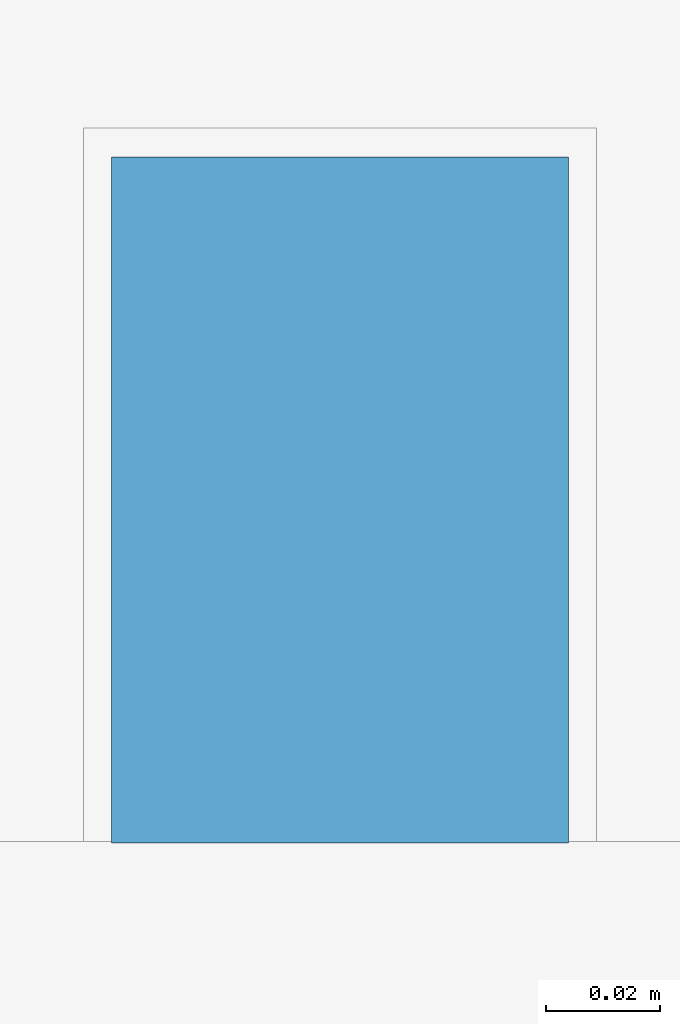
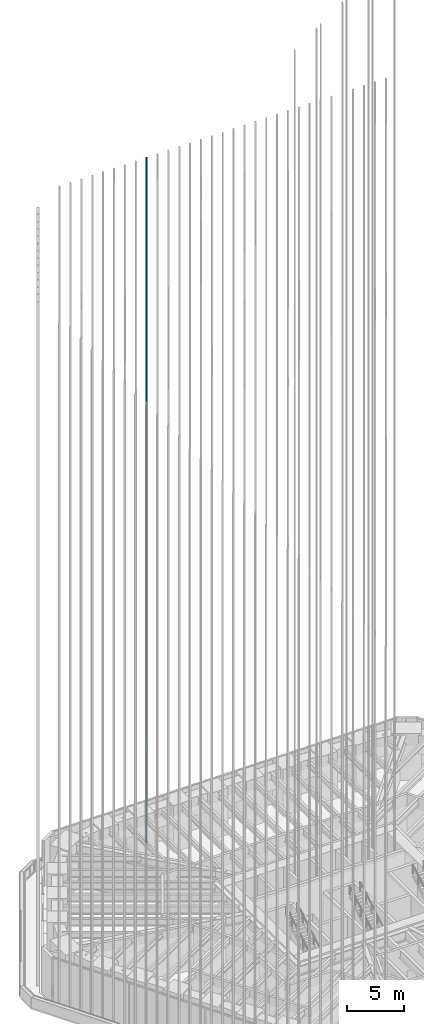
# One storey, part 165 of 228: 1 member, 1 element without a shape of its own.
"""IFC4 building model written with IfcOpenShell, lengths in metres."""

from ifc_helpers import new_model, si_unit, direction, frame, origin, origin_2d, place, context, subcontext, project, spatial, rectangle, extrude, material, material_profile, profile_set, type_object, element, aggregate, save


model = new_model("IFC4")

# Units and contexts
model_context = context("Model", 3, precision=1e-05, world=origin(), true_north=direction((0.0, 1.0)))
body_context = subcontext(model_context, "Body", "Model", "MODEL_VIEW")
ifc_project = project(units=[si_unit("LENGTHUNIT", "METRE"), si_unit("AREAUNIT", "SQUARE_METRE"), si_unit("VOLUMEUNIT", "CUBIC_METRE"), si_unit("PLANEANGLEUNIT", "RADIAN"), si_unit("MASSUNIT", "GRAM", prefix="KILO")], contexts=[model_context])

# Site, building, storey
site_placement = place(None, origin())
site = spatial("IfcSite", under=ifc_project, at=site_placement, CompositionType="ELEMENT")
building_placement = place(site_placement, origin())
building = spatial("IfcBuilding", under=site, at=building_placement, Name="Sandreach Pilgrim Tower", CompositionType="ELEMENT")
storey_placement = place(building_placement, frame((0.0, 0.0, 178.199951171875)))
storey = spatial("IfcBuildingStorey", under=building, at=storey_placement, Name="L44", CompositionType="ELEMENT", Elevation=178.199951171875)

# Curtain wall, member
ifc_material_1 = material(Name="Aluminium framed curtain wall", Category="aluminium")
curtain_wall_type = type_object("IfcCurtainWallType", Name="Upper hotel tower curtain wall", PredefinedType="NOTDEFINED", material=ifc_material_1)
curtain_wall_placement = place(storey_placement, origin())
curtain_wall = element("IfcCurtainWall", 1, at=curtain_wall_placement, inside=storey, type_object=curtain_wall_type, Name="CW-3 L44 N", PredefinedType="NOTDEFINED")
ifc_material_2 = material(Name="Extruded terracotta on aluminium core", Category="masonry")
ifc_material_profile = material_profile(ifc_material_2, rectangle(XDim=0.080078125, YDim=0.1201171875, at=origin_2d()), Name="TBN 80X120")
ifc_profile_set = profile_set([ifc_material_profile], Name="Extruded terracotta on aluminium core")
member_type = type_object("IfcMemberType", Name="Terracotta baguette north", PredefinedType="USERDEFINED", material=ifc_profile_set)
member_placement = place(storey_placement, frame((-7.698974609375, 21.52001953125, 0.0), z_axis=(0.0, 0.0, 1.0), x_axis=(1.0, 0.0, 0.0)))
member = element("IfcMember", 2, at=member_placement, type_object=member_type, Name="Baguette Z3 N09", ObjectType="BAGUETTE", PredefinedType="USERDEFINED", context=body_context, shape_type="SweptSolid", body=[
    extrude(rectangle(XDim=0.080078125, YDim=0.1201171875, at=origin_2d()), origin(), (0.0, 0.0, 1.0), 73.239990234375),
])
aggregate(curtain_wall, [member])

save(model, "model.ifc")
